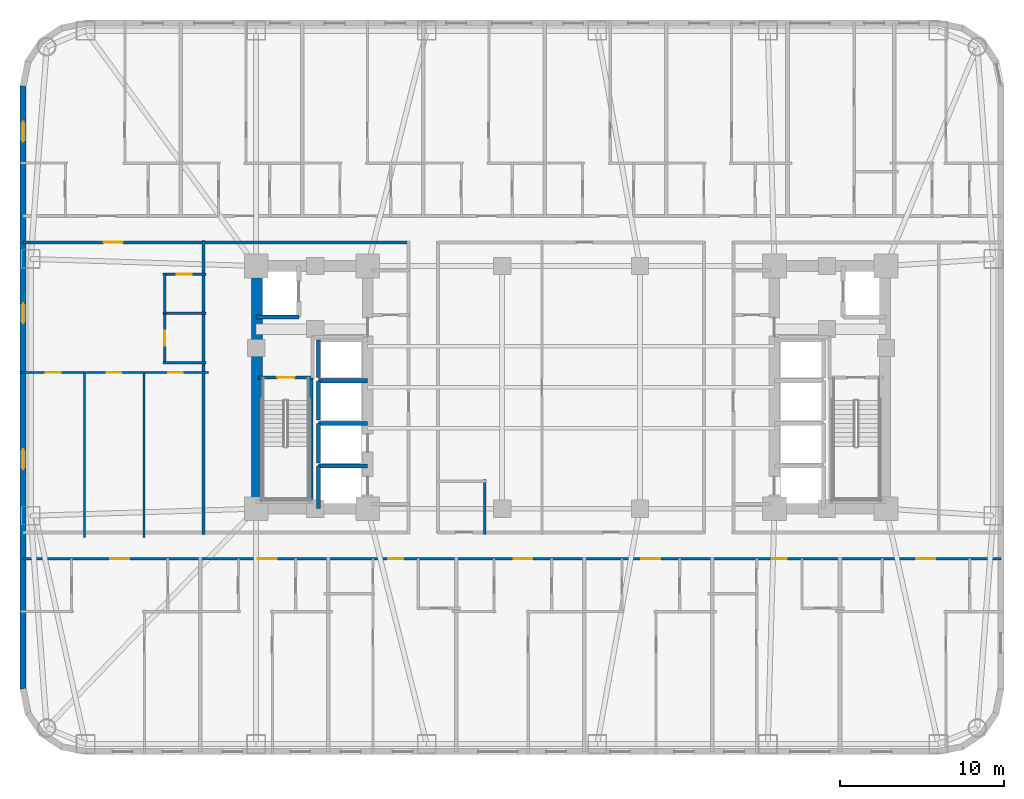
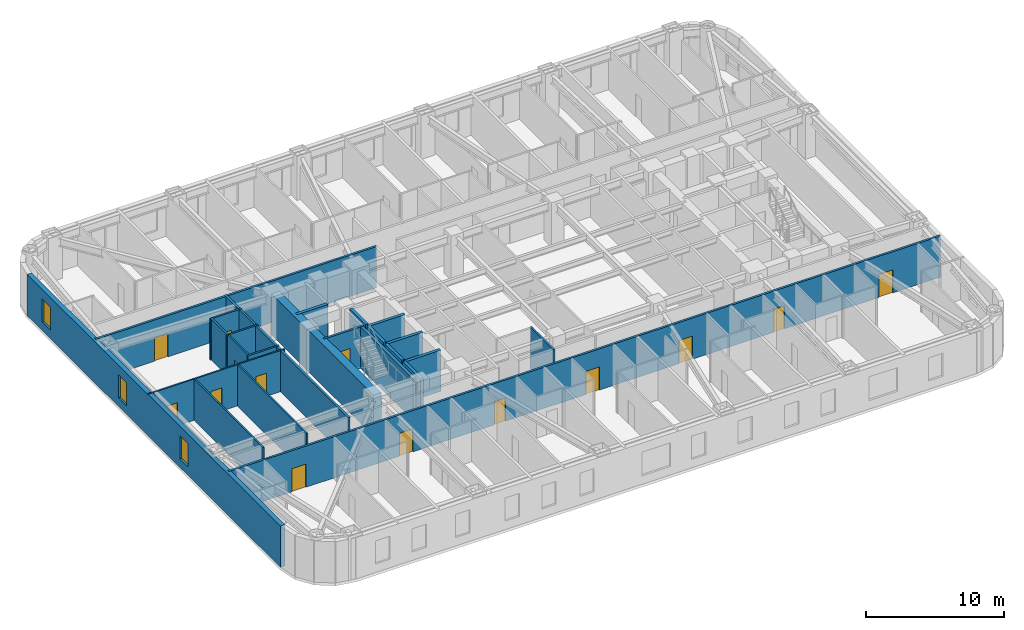
# One storey, part 4 of 11: 26 walls, 14 doors, 3 windows, 17 openings.
"""IFC4 building model written with IfcOpenShell, lengths in metres."""

from ifc_helpers import new_model, si_unit, direction, frame, frame_2d, origin, place, context, subcontext, project, spatial, rectangle, extrude, material, layer, layer_set, type_object, element, fill, save


model = new_model("IFC4")

# Units and contexts
model_context = context("Model", 3, precision=1e-05, world=origin(), true_north=direction((0.0, 1.0)))
body_context = subcontext(model_context, "Body", "Model", "MODEL_VIEW")
ifc_project = project(units=[si_unit("LENGTHUNIT", "METRE"), si_unit("AREAUNIT", "SQUARE_METRE"), si_unit("VOLUMEUNIT", "CUBIC_METRE"), si_unit("PLANEANGLEUNIT", "RADIAN"), si_unit("MASSUNIT", "GRAM", prefix="KILO")], contexts=[model_context])

# Site, building, storey
site_placement = place(None, origin())
site = spatial("IfcSite", under=ifc_project, at=site_placement, CompositionType="ELEMENT")
building_placement = place(site_placement, origin())
building = spatial("IfcBuilding", under=site, at=building_placement, Name="Voryun Gate Residences", CompositionType="ELEMENT")
storey_placement = place(building_placement, frame((0.0, 0.0, 57.199951171875)))
storey = spatial("IfcBuildingStorey", under=building, at=storey_placement, Name="L13", CompositionType="ELEMENT", Elevation=57.199951171875)

# Wall
ifc_material_1 = material(Name="Concrete C60/75", Category="concrete")
ifc_layer_1 = layer(ifc_material_1, 0.64990234375, Name="CW_CORE_650")
ifc_layer_set_1 = layer_set([ifc_layer_1], Name="Concrete C60/75")
wall_type_1 = type_object("IfcWallType", Name="CW_CORE_650", PredefinedType="SHEAR", material=ifc_layer_set_1)
wall_1_placement = place(storey_placement, frame((-19.14501953125, -7.39990234375, 0.0), z_axis=(0.0, 0.0, 1.0), x_axis=(0.0, 1.0, 0.0)))
element("IfcWall", 1, at=wall_1_placement, inside=storey, type_object=wall_type_1, Name="L13 Core shear wall CW-L13-WW", PredefinedType="SHEAR", context=body_context, shape_type="SweptSolid", body=[
    extrude(rectangle(XDim=14.7998046875, YDim=0.64990234375, at=frame_2d((7.39990234375, 0.0))), origin(), (0.0, 0.0, 1.0), 3.650146484375),
])

# Wall, opening, door
ifc_material_2 = material(Name="Gypsum acoustic fireboard")
ifc_layer_2 = layer(ifc_material_2, 0.179931640625, Name="W_CORR_RATED_180")
ifc_layer_set_2 = layer_set([ifc_layer_2], Name="Gypsum acoustic fireboard")
wall_type_2 = type_object("IfcWallType", Name="W_CORR_RATED_180", PredefinedType="PARTITIONING", material=ifc_layer_set_2)
wall_2_placement = place(storey_placement, frame((-19.06005859375, 0.60009765625, 0.0), z_axis=(0.0, 0.0, 1.0), x_axis=(1.0, 0.0, 0.0)))
wall_2 = element("IfcWall", 2, at=wall_2_placement, inside=storey, type_object=wall_type_2, Name="Partition wall WP-L13-STV-W", PredefinedType="PARTITIONING", context=body_context, shape_type="SweptSolid", body=[
    extrude(rectangle(XDim=3.360107421875, YDim=0.179931640625, at=frame_2d((1.68017578125, 0.0))), origin(), (0.0, 0.0, 1.0), 3.650146484375),
])
opening_1_placement = place(wall_2_placement, frame((1.155029296875, 0.0, 0.0)))
opening_1 = element("IfcOpeningElement", 3, at=opening_1_placement, cuts=wall_2, Name="Opening D-FD60-1", PredefinedType="OPENING", context=body_context, shape_type="SweptSolid", body=[
    extrude(rectangle(XDim=1.050048828125, YDim=2.050048828125, at=frame_2d((0.52490234375, 1.02490234375))), frame((0.0, 0.099853515625, 0.0), z_axis=(0.0, -1.0, 0.0), x_axis=(1.0, 0.0, 0.0)), (0.0, 0.0, 1.0), 0.199951171875),
])
ifc_material_3 = material(Name="Painted steel fire door", Category="steel")
door_type_1 = type_object("IfcDoorType", Name="DR_FD60_STAIR_1050", OperationType="NOTDEFINED", PredefinedType="DOOR", material=ifc_material_3)
door_1_placement = place(opening_1_placement, origin())
door_1 = element("IfcDoor", 4, at=door_1_placement, inside=storey, type_object=door_type_1, Name="Door DR-L13-ST-W", OperationType="SINGLE_SWING_LEFT", OverallHeight=2.050048828125, OverallWidth=1.050048828125, PredefinedType="DOOR", context=body_context, shape_type="SweptSolid", body=[
    extrude(rectangle(XDim=1.050048828125, YDim=2.050048828125, at=frame_2d((0.52490234375, 1.02490234375))), frame((0.0, 0.02490234375, 0.0), z_axis=(0.0, -1.0, 0.0), x_axis=(1.0, 0.0, 0.0)), (0.0, 0.0, 1.0), 0.050048828125),
])
fill(opening_1, door_1)

wall_3_placement = place(storey_placement, frame((-33.409912109375, 8.840087890625, 0.0), z_axis=(0.0, 0.0, 1.0), x_axis=(1.0, 0.0, 0.0)))
wall_3 = element("IfcWall", 5, at=wall_3_placement, inside=storey, type_object=wall_type_2, Name="Partition wall WP-L13-CWING-WN", PredefinedType="PARTITIONING", context=body_context, shape_type="SweptSolid", body=[
    extrude(rectangle(XDim=23.530029296875, YDim=0.179931640625, at=frame_2d((11.76513671875, 0.0))), origin(), (0.0, 0.0, 1.0), 3.650146484375),
])
opening_2_placement = place(wall_3_placement, frame((4.91455078125, 0.0, 0.0)))
opening_2 = element("IfcOpeningElement", 6, at=opening_2_placement, cuts=wall_3, Name="Opening D-UNIT-1", PredefinedType="OPENING", context=body_context, shape_type="SweptSolid", body=[
    extrude(rectangle(XDim=1.14990234375, YDim=2.050048828125, at=frame_2d((0.574951171875, 1.02490234375))), frame((0.0, 0.099853515625, 0.0), z_axis=(0.0, -1.0, 0.0), x_axis=(1.0, 0.0, 0.0)), (0.0, 0.0, 1.0), 0.199951171875),
])
ifc_material_4 = material(Name="Armoured timber-clad fire door", Category="wood")
door_type_2 = type_object("IfcDoorType", Name="DR_UNIT_ENTRY_1150", OperationType="NOTDEFINED", PredefinedType="DOOR", material=ifc_material_4)
door_2_placement = place(opening_2_placement, origin())
door_2 = element("IfcDoor", 7, at=door_2_placement, inside=storey, type_object=door_type_2, Name="Door DR-L13-WE1N", OperationType="SINGLE_SWING_LEFT", OverallHeight=2.050048828125, OverallWidth=1.14990234375, PredefinedType="DOOR", context=body_context, shape_type="SweptSolid", body=[
    extrude(rectangle(XDim=1.14990234375, YDim=2.050048828125, at=frame_2d((0.574951171875, 1.02490234375))), frame((0.0, 0.02490234375, 0.0), z_axis=(0.0, -1.0, 0.0), x_axis=(1.0, 0.0, 0.0)), (0.0, 0.0, 1.0), 0.050048828125),
])
fill(opening_2, door_2)

# Wall, openings, doors
wall_4_placement = place(storey_placement, frame((-33.409912109375, -10.449951171875, 0.0), z_axis=(0.0, 0.0, 1.0), x_axis=(1.0, 0.0, 0.0)))
wall_4 = element("IfcWall", 8, at=wall_4_placement, inside=storey, type_object=wall_type_2, Name="Partition wall WP-L13-SCORR", PredefinedType="PARTITIONING", context=body_context, shape_type="SweptSolid", body=[
    extrude(rectangle(XDim=59.619873046875, YDim=0.179931640625, at=frame_2d((29.81005859375, 0.0))), origin(), (0.0, 0.0, 1.0), 3.650146484375),
])
opening_3_placement = place(wall_4_placement, frame((5.3212890625, 0.0, 0.0)))
opening_3 = element("IfcOpeningElement", 9, at=opening_3_placement, cuts=wall_4, Name="Opening D-UNIT-1", PredefinedType="OPENING", context=body_context, shape_type="SweptSolid", body=[
    extrude(rectangle(XDim=1.14990234375, YDim=2.050048828125, at=frame_2d((0.574951171875, 1.02490234375))), frame((0.0, 0.099853515625, 0.0), z_axis=(0.0, -1.0, 0.0), x_axis=(1.0, 0.0, 0.0)), (0.0, 0.0, 1.0), 0.199951171875),
])
opening_4_placement = place(wall_4_placement, frame((14.30029296875, 0.0, 0.0)))
opening_4 = element("IfcOpeningElement", 10, at=opening_4_placement, cuts=wall_4, Name="Opening D-UNIT-1", PredefinedType="OPENING", context=body_context, shape_type="SweptSolid", body=[
    extrude(rectangle(XDim=1.14990234375, YDim=2.050048828125, at=frame_2d((0.574951171875, 1.02490234375))), frame((0.0, 0.099853515625, 0.0), z_axis=(0.0, -1.0, 0.0), x_axis=(1.0, 0.0, 0.0)), (0.0, 0.0, 1.0), 0.199951171875),
])
opening_5_placement = place(wall_4_placement, frame((22.26513671875, 0.0, 0.0)))
opening_5 = element("IfcOpeningElement", 11, at=opening_5_placement, cuts=wall_4, Name="Opening D-INT-2", PredefinedType="OPENING", context=body_context, shape_type="SweptSolid", body=[
    extrude(rectangle(XDim=0.89990234375, YDim=2.050048828125, at=frame_2d((0.449951171875, 1.02490234375))), frame((0.0, 0.099853515625, 0.0), z_axis=(0.0, -1.0, 0.0), x_axis=(1.0, 0.0, 0.0)), (0.0, 0.0, 1.0), 0.199951171875),
])
opening_6_placement = place(wall_4_placement, frame((29.902587890625, 0.0, 0.0)))
opening_6 = element("IfcOpeningElement", 12, at=opening_6_placement, cuts=wall_4, Name="Opening D-UNIT-1", PredefinedType="OPENING", context=body_context, shape_type="SweptSolid", body=[
    extrude(rectangle(XDim=1.14990234375, YDim=2.050048828125, at=frame_2d((0.574951171875, 1.02490234375))), frame((0.0, 0.099853515625, 0.0), z_axis=(0.0, -1.0, 0.0), x_axis=(1.0, 0.0, 0.0)), (0.0, 0.0, 1.0), 0.199951171875),
])
opening_7_placement = place(wall_4_placement, frame((37.700927734375, 0.0, 0.0)))
opening_7 = element("IfcOpeningElement", 13, at=opening_7_placement, cuts=wall_4, Name="Opening D-UNIT-1", PredefinedType="OPENING", context=body_context, shape_type="SweptSolid", body=[
    extrude(rectangle(XDim=1.14990234375, YDim=2.050048828125, at=frame_2d((0.574951171875, 1.02490234375))), frame((0.0, 0.099853515625, 0.0), z_axis=(0.0, -1.0, 0.0), x_axis=(1.0, 0.0, 0.0)), (0.0, 0.0, 1.0), 0.199951171875),
])
opening_8_placement = place(wall_4_placement, frame((45.654052734375, 0.0, 0.0)))
opening_8 = element("IfcOpeningElement", 14, at=opening_8_placement, cuts=wall_4, Name="Opening D-INT-2", PredefinedType="OPENING", context=body_context, shape_type="SweptSolid", body=[
    extrude(rectangle(XDim=0.89990234375, YDim=2.050048828125, at=frame_2d((0.449951171875, 1.02490234375))), frame((0.0, 0.099853515625, 0.0), z_axis=(0.0, -1.0, 0.0), x_axis=(1.0, 0.0, 0.0)), (0.0, 0.0, 1.0), 0.199951171875),
])
opening_9_placement = place(wall_4_placement, frame((54.47216796875, 0.0, 0.0)))
opening_9 = element("IfcOpeningElement", 15, at=opening_9_placement, cuts=wall_4, Name="Opening D-UNIT-1", PredefinedType="OPENING", context=body_context, shape_type="SweptSolid", body=[
    extrude(rectangle(XDim=1.14990234375, YDim=2.050048828125, at=frame_2d((0.574951171875, 1.02490234375))), frame((0.0, 0.099853515625, 0.0), z_axis=(0.0, -1.0, 0.0), x_axis=(1.0, 0.0, 0.0)), (0.0, 0.0, 1.0), 0.199951171875),
])
ifc_material_5 = material(Name="Architectural oak veneer")
door_type_3 = type_object("IfcDoorType", Name="DR_INT_BATH_900", OperationType="NOTDEFINED", PredefinedType="DOOR", material=ifc_material_5)
door_3_placement = place(opening_5_placement, origin())
door_3 = element("IfcDoor", 16, at=door_3_placement, inside=storey, type_object=door_type_3, Name="Door DR-L13-SENT-3", OperationType="SINGLE_SWING_RIGHT", OverallHeight=2.050048828125, OverallWidth=0.89990234375, PredefinedType="DOOR", context=body_context, shape_type="SweptSolid", body=[
    extrude(rectangle(XDim=0.89990234375, YDim=2.050048828125, at=frame_2d((0.449951171875, 1.02490234375))), frame((0.0, 0.02490234375, 0.0), z_axis=(0.0, -1.0, 0.0), x_axis=(1.0, 0.0, 0.0)), (0.0, 0.0, 1.0), 0.050048828125),
])
fill(opening_5, door_3)
door_4_placement = place(opening_8_placement, origin())
door_4 = element("IfcDoor", 17, at=door_4_placement, inside=storey, type_object=door_type_3, Name="Door DR-L13-SENT-6", OperationType="SINGLE_SWING_LEFT", OverallHeight=2.050048828125, OverallWidth=0.89990234375, PredefinedType="DOOR", context=body_context, shape_type="SweptSolid", body=[
    extrude(rectangle(XDim=0.89990234375, YDim=2.050048828125, at=frame_2d((0.449951171875, 1.02490234375))), frame((0.0, 0.02490234375, 0.0), z_axis=(0.0, -1.0, 0.0), x_axis=(1.0, 0.0, 0.0)), (0.0, 0.0, 1.0), 0.050048828125),
])
fill(opening_8, door_4)
door_5_placement = place(opening_3_placement, origin())
door_5 = element("IfcDoor", 18, at=door_5_placement, inside=storey, type_object=door_type_2, Name="Door DR-L13-SENT-1", OperationType="SINGLE_SWING_RIGHT", OverallHeight=2.050048828125, OverallWidth=1.14990234375, PredefinedType="DOOR", context=body_context, shape_type="SweptSolid", body=[
    extrude(rectangle(XDim=1.14990234375, YDim=2.050048828125, at=frame_2d((0.574951171875, 1.02490234375))), frame((0.0, 0.02490234375, 0.0), z_axis=(0.0, -1.0, 0.0), x_axis=(1.0, 0.0, 0.0)), (0.0, 0.0, 1.0), 0.050048828125),
])
fill(opening_3, door_5)
door_6_placement = place(opening_4_placement, origin())
door_6 = element("IfcDoor", 19, at=door_6_placement, inside=storey, type_object=door_type_2, Name="Door DR-L13-SENT-2", OperationType="SINGLE_SWING_LEFT", OverallHeight=2.050048828125, OverallWidth=1.14990234375, PredefinedType="DOOR", context=body_context, shape_type="SweptSolid", body=[
    extrude(rectangle(XDim=1.14990234375, YDim=2.050048828125, at=frame_2d((0.574951171875, 1.02490234375))), frame((0.0, 0.02490234375, 0.0), z_axis=(0.0, -1.0, 0.0), x_axis=(1.0, 0.0, 0.0)), (0.0, 0.0, 1.0), 0.050048828125),
])
fill(opening_4, door_6)
door_7_placement = place(opening_6_placement, origin())
door_7 = element("IfcDoor", 20, at=door_7_placement, inside=storey, type_object=door_type_2, Name="Door DR-L13-SENT-4", OperationType="SINGLE_SWING_LEFT", OverallHeight=2.050048828125, OverallWidth=1.14990234375, PredefinedType="DOOR", context=body_context, shape_type="SweptSolid", body=[
    extrude(rectangle(XDim=1.14990234375, YDim=2.050048828125, at=frame_2d((0.574951171875, 1.02490234375))), frame((0.0, 0.02490234375, 0.0), z_axis=(0.0, -1.0, 0.0), x_axis=(1.0, 0.0, 0.0)), (0.0, 0.0, 1.0), 0.050048828125),
])
fill(opening_6, door_7)
door_8_placement = place(opening_7_placement, origin())
door_8 = element("IfcDoor", 21, at=door_8_placement, inside=storey, type_object=door_type_2, Name="Door DR-L13-SENT-5", OperationType="SINGLE_SWING_RIGHT", OverallHeight=2.050048828125, OverallWidth=1.14990234375, PredefinedType="DOOR", context=body_context, shape_type="SweptSolid", body=[
    extrude(rectangle(XDim=1.14990234375, YDim=2.050048828125, at=frame_2d((0.574951171875, 1.02490234375))), frame((0.0, 0.02490234375, 0.0), z_axis=(0.0, -1.0, 0.0), x_axis=(1.0, 0.0, 0.0)), (0.0, 0.0, 1.0), 0.050048828125),
])
fill(opening_7, door_8)
door_9_placement = place(opening_9_placement, origin())
door_9 = element("IfcDoor", 22, at=door_9_placement, inside=storey, type_object=door_type_2, Name="Door DR-L13-SENT-7", OperationType="SINGLE_SWING_RIGHT", OverallHeight=2.050048828125, OverallWidth=1.14990234375, PredefinedType="DOOR", context=body_context, shape_type="SweptSolid", body=[
    extrude(rectangle(XDim=1.14990234375, YDim=2.050048828125, at=frame_2d((0.574951171875, 1.02490234375))), frame((0.0, 0.02490234375, 0.0), z_axis=(0.0, -1.0, 0.0), x_axis=(1.0, 0.0, 0.0)), (0.0, 0.0, 1.0), 0.050048828125),
])
fill(opening_9, door_9)

# Wall
wall_5_placement = place(storey_placement, frame((-22.419921875, -8.9599609375, 0.0), z_axis=(0.0, 0.0, 1.0), x_axis=(0.0, 1.0, 0.0)))
element("IfcWall", 23, at=wall_5_placement, inside=storey, type_object=wall_type_2, Name="Partition wall WP-L13-WCOR", PredefinedType="PARTITIONING", context=body_context, shape_type="SweptSolid", body=[
    extrude(rectangle(XDim=17.919921875, YDim=0.179931640625, at=frame_2d((8.9599609375, 0.0))), origin(), (0.0, 0.0, 1.0), 3.650146484375),
])

# Wall, openings, windows
ifc_material_6 = material(Name="Granite masonry", Category="masonry")
ifc_layer_3 = layer(ifc_material_6, 0.3798828125, Name="W_EXT_GRANITE_380")
ifc_layer_set_3 = layer_set([ifc_layer_3], Name="Granite masonry")
wall_type_3 = type_object("IfcWallType", Name="W_EXT_GRANITE_380", PredefinedType="ELEMENTEDWALL", material=ifc_layer_set_3)
wall_6_placement = place(storey_placement, frame((-33.409912109375, -18.38134765625, 0.0), z_axis=(0.0, 0.0, 1.0), x_axis=(0.0, 1.0, 0.0)))
wall_6 = element("IfcWall", 24, at=wall_6_placement, inside=storey, type_object=wall_type_3, Name="Exterior wall WEXT-L13-06", PredefinedType="ELEMENTEDWALL", context=body_context, shape_type="SweptSolid", body=[
    extrude(rectangle(XDim=36.7626953125, YDim=0.3798828125, at=frame_2d((18.38134765625, 0.0))), origin(), (0.0, 0.0, 1.0), 3.650146484375),
])
opening_10_placement = place(wall_6_placement, frame((33.362060546875, 0.0, 0.75)))
opening_10 = element("IfcOpeningElement", 25, at=opening_10_placement, cuts=wall_6, Name="Opening WN6", PredefinedType="OPENING", context=body_context, shape_type="SweptSolid", body=[
    extrude(rectangle(XDim=1.199951171875, YDim=2.050048828125, at=frame_2d((0.60009765625, 1.02490234375))), frame((0.0, 0.199951171875, 0.0), z_axis=(0.0, -1.0, 0.0), x_axis=(1.0, 0.0, 0.0)), (0.0, 0.0, 1.0), 0.39990234375),
])
opening_11_placement = place(wall_6_placement, frame((22.30126953125, 0.0, 0.75)))
opening_11 = element("IfcOpeningElement", 26, at=opening_11_placement, cuts=wall_6, Name="Opening WN6", PredefinedType="OPENING", context=body_context, shape_type="SweptSolid", body=[
    extrude(rectangle(XDim=1.199951171875, YDim=2.050048828125, at=frame_2d((0.60009765625, 1.02490234375))), frame((0.0, 0.199951171875, 0.0), z_axis=(0.0, -1.0, 0.0), x_axis=(1.0, 0.0, 0.0)), (0.0, 0.0, 1.0), 0.39990234375),
])
opening_12_placement = place(wall_6_placement, frame((13.4013671875, 0.0, 0.75)))
opening_12 = element("IfcOpeningElement", 27, at=opening_12_placement, cuts=wall_6, Name="Opening WN6", PredefinedType="OPENING", context=body_context, shape_type="SweptSolid", body=[
    extrude(rectangle(XDim=1.199951171875, YDim=2.050048828125, at=frame_2d((0.60009765625, 1.02490234375))), frame((0.0, 0.199951171875, 0.0), z_axis=(0.0, -1.0, 0.0), x_axis=(1.0, 0.0, 0.0)), (0.0, 0.0, 1.0), 0.39990234375),
])
ifc_material_7 = material(Name="Laminated low-E glass", Category="glass")
window_type = type_object("IfcWindowType", Name="WN_POD_SLOT_1200", PartitioningType="SINGLE_PANEL", PredefinedType="WINDOW", material=ifc_material_7)
window_1_placement = place(opening_10_placement, origin())
window_1 = element("IfcWindow", 28, at=window_1_placement, inside=storey, type_object=window_type, Name="Window WN-L13-DWFIX-01", OverallHeight=2.050048828125, OverallWidth=1.199951171875, PartitioningType="SINGLE_PANEL", PredefinedType="WINDOW", context=body_context, shape_type="SweptSolid", body=[
    extrude(rectangle(XDim=1.199951171875, YDim=2.050048828125, at=frame_2d((0.60009765625, 1.02490234375))), frame((0.0, 0.030029296875, 0.0), z_axis=(0.0, -1.0, 0.0), x_axis=(1.0, 0.0, 0.0)), (0.0, 0.0, 1.0), 0.06005859375),
])
fill(opening_10, window_1)
window_2_placement = place(opening_11_placement, origin())
window_2 = element("IfcWindow", 29, at=window_2_placement, inside=storey, type_object=window_type, Name="Window WN-L13-DWFIX-26", OverallHeight=2.050048828125, OverallWidth=1.199951171875, PartitioningType="SINGLE_PANEL", PredefinedType="WINDOW", context=body_context, shape_type="SweptSolid", body=[
    extrude(rectangle(XDim=1.199951171875, YDim=2.050048828125, at=frame_2d((0.60009765625, 1.02490234375))), frame((0.0, 0.030029296875, 0.0), z_axis=(0.0, -1.0, 0.0), x_axis=(1.0, 0.0, 0.0)), (0.0, 0.0, 1.0), 0.06005859375),
])
fill(opening_11, window_2)
window_3_placement = place(opening_12_placement, origin())
window_3 = element("IfcWindow", 30, at=window_3_placement, inside=storey, type_object=window_type, Name="Window WN-L13-DWFIX-27", OverallHeight=2.050048828125, OverallWidth=1.199951171875, PartitioningType="SINGLE_PANEL", PredefinedType="WINDOW", context=body_context, shape_type="SweptSolid", body=[
    extrude(rectangle(XDim=1.199951171875, YDim=2.050048828125, at=frame_2d((0.60009765625, 1.02490234375))), frame((0.0, 0.030029296875, 0.0), z_axis=(0.0, -1.0, 0.0), x_axis=(1.0, 0.0, 0.0)), (0.0, 0.0, 1.0), 0.06005859375),
])
fill(opening_12, window_3)

# Walls
ifc_material_8 = material(Name="Concrete C50/60", Category="concrete")
ifc_layer_4 = layer(ifc_material_8, 0.25, Name="W_SHAFT_RC250")
ifc_layer_set_4 = layer_set([ifc_layer_4], Name="Concrete C50/60")
wall_type_4 = type_object("IfcWallType", Name="W_SHAFT_RC250", PredefinedType="SOLIDWALL", material=ifc_layer_set_4)
wall_7_placement = place(storey_placement, frame((-15.860107421875, -7.0849609375, 0.0), z_axis=(0.0, 0.0, 1.0), x_axis=(0.0, 1.0, 0.0)))
element("IfcWall", 31, at=wall_7_placement, inside=storey, type_object=wall_type_4, Name="L13 Stair shaft structural wall W-STR", PredefinedType="SOLIDWALL", context=body_context, shape_type="SweptSolid", body=[
    extrude(rectangle(XDim=7.68505859375, YDim=0.25, at=frame_2d((3.842529296875, 0.0))), origin(), (0.0, 0.0, 1.0), 3.650146484375),
])
wall_8_placement = place(storey_placement, frame((-19.199951171875, 4.300048828125, 0.0), z_axis=(0.0, 0.0, 1.0), x_axis=(1.0, 0.0, 0.0)))
element("IfcWall", 32, at=wall_8_placement, inside=storey, type_object=wall_type_4, Name="Lift shaft wall WSH-L13-EL-FF-W1-S", PredefinedType="SOLIDWALL", context=body_context, shape_type="SweptSolid", body=[
    extrude(rectangle(XDim=2.599853515625, YDim=0.25, at=frame_2d((1.2998046875, 0.0))), origin(), (0.0, 0.0, 1.0), 3.650146484375),
])
wall_9_placement = place(storey_placement, frame((-12.39990234375, -4.800048828125, 0.0), z_axis=(0.0, 0.0, 1.0), x_axis=(-1.0, 0.0, 0.0)))
element("IfcWall", 33, at=wall_9_placement, inside=storey, type_object=wall_type_4, Name="Lift shaft wall WSH-L13-EL-P1-N", PredefinedType="SOLIDWALL", context=body_context, shape_type="SweptSolid", body=[
    extrude(rectangle(XDim=3.0, YDim=0.25, at=frame_2d((1.5, 0.0))), origin(), (0.0, 0.0, 1.0), 3.650146484375),
])
wall_10_placement = place(storey_placement, frame((-15.39990234375, -4.800048828125, 0.0), z_axis=(0.0, 0.0, 1.0), x_axis=(0.0, -1.0, 0.0)))
element("IfcWall", 34, at=wall_10_placement, inside=storey, type_object=wall_type_4, Name="Lift shaft wall WSH-L13-EL-P1-W", PredefinedType="SOLIDWALL", context=body_context, shape_type="SweptSolid", body=[
    extrude(rectangle(XDim=2.599853515625, YDim=0.25, at=frame_2d((1.2998046875, 0.0))), origin(), (0.0, 0.0, 1.0), 3.650146484375),
])
wall_11_placement = place(storey_placement, frame((-12.39990234375, -2.199951171875, 0.0), z_axis=(0.0, 0.0, 1.0), x_axis=(-1.0, 0.0, 0.0)))
element("IfcWall", 35, at=wall_11_placement, inside=storey, type_object=wall_type_4, Name="Lift shaft wall WSH-L13-EL-P2-N", PredefinedType="SOLIDWALL", context=body_context, shape_type="SweptSolid", body=[
    extrude(rectangle(XDim=3.0, YDim=0.25, at=frame_2d((1.5, 0.0))), origin(), (0.0, 0.0, 1.0), 3.650146484375),
])
wall_12_placement = place(storey_placement, frame((-15.39990234375, -2.199951171875, 0.0), z_axis=(0.0, 0.0, 1.0), x_axis=(0.0, -1.0, 0.0)))
element("IfcWall", 36, at=wall_12_placement, inside=storey, type_object=wall_type_4, Name="Lift shaft wall WSH-L13-EL-P2-W", PredefinedType="SOLIDWALL", context=body_context, shape_type="SweptSolid", body=[
    extrude(rectangle(XDim=2.400146484375, YDim=0.25, at=frame_2d((1.2001953125, 0.0))), origin(), (0.0, 0.0, 1.0), 3.650146484375),
])
wall_13_placement = place(storey_placement, frame((-12.39990234375, 0.39990234375, 0.0), z_axis=(0.0, 0.0, 1.0), x_axis=(-1.0, 0.0, 0.0)))
element("IfcWall", 37, at=wall_13_placement, inside=storey, type_object=wall_type_4, Name="Lift shaft wall WSH-L13-EL-P4-N", PredefinedType="SOLIDWALL", context=body_context, shape_type="SweptSolid", body=[
    extrude(rectangle(XDim=3.0, YDim=0.25, at=frame_2d((1.5, 0.0))), origin(), (0.0, 0.0, 1.0), 3.650146484375),
])
wall_14_placement = place(storey_placement, frame((-15.39990234375, 0.39990234375, 0.0), z_axis=(0.0, 0.0, 1.0), x_axis=(0.0, -1.0, 0.0)))
element("IfcWall", 38, at=wall_14_placement, inside=storey, type_object=wall_type_4, Name="Lift shaft wall WSH-L13-EL-P4-W", PredefinedType="SOLIDWALL", context=body_context, shape_type="SweptSolid", body=[
    extrude(rectangle(XDim=2.39990234375, YDim=0.25, at=frame_2d((1.199951171875, 0.0))), origin(), (0.0, 0.0, 1.0), 3.650146484375),
])
wall_15_placement = place(storey_placement, frame((-15.39990234375, 2.89990234375, 0.0), z_axis=(0.0, 0.0, 1.0), x_axis=(0.0, -1.0, 0.0)))
element("IfcWall", 39, at=wall_15_placement, inside=storey, type_object=wall_type_4, Name="Lift shaft wall WSH-L13-EL-P7-W", PredefinedType="SOLIDWALL", context=body_context, shape_type="SweptSolid", body=[
    extrude(rectangle(XDim=2.2998046875, YDim=0.25, at=frame_2d((1.14990234375, 0.0))), origin(), (0.0, 0.0, 1.0), 3.650146484375),
])

# Wall, opening, door
ifc_material_9 = material(Name="Gypsum acoustic partition")
ifc_layer_5 = layer(ifc_material_9, 0.125, Name="W_UNIT_PART_125")
ifc_layer_set_5 = layer_set([ifc_layer_5], Name="Gypsum acoustic partition")
wall_type_5 = type_object("IfcWallType", Name="W_UNIT_PART_125", PredefinedType="PARTITIONING", material=ifc_layer_set_5)
wall_16_placement = place(storey_placement, frame((-33.56005859375, 0.909912109375, 0.0), z_axis=(0.0, 0.0, 1.0), x_axis=(1.0, 0.0, 0.0)))
wall_16 = element("IfcWall", 40, at=wall_16_placement, inside=storey, type_object=wall_type_5, Name="Partition wall WP-L13-W1-HZMB1", PredefinedType="PARTITIONING", context=body_context, shape_type="SweptSolid", body=[
    extrude(rectangle(XDim=3.944580078125, YDim=0.125, at=frame_2d((1.97216796875, 0.0))), origin(), (0.0, 0.0, 1.0), 3.650146484375),
])
opening_13_placement = place(wall_16_placement, frame((1.531005859375, 0.0, 0.0)))
opening_13 = element("IfcOpeningElement", 41, at=opening_13_placement, cuts=wall_16, Name="Opening D-INT-2", PredefinedType="OPENING", context=body_context, shape_type="SweptSolid", body=[
    extrude(rectangle(XDim=0.89990234375, YDim=2.050048828125, at=frame_2d((0.449951171875, 1.02490234375))), frame((0.0, 0.072509765625, 0.0), z_axis=(0.0, -1.0, 0.0), x_axis=(1.0, 0.0, 0.0)), (0.0, 0.0, 1.0), 0.14501953125),
])
door_10_placement = place(opening_13_placement, origin())
door_10 = element("IfcDoor", 42, at=door_10_placement, inside=storey, type_object=door_type_3, Name="Door DR-L13-W1-DMB", OperationType="SINGLE_SWING_LEFT", OverallHeight=2.050048828125, OverallWidth=0.89990234375, PredefinedType="DOOR", context=body_context, shape_type="SweptSolid", body=[
    extrude(rectangle(XDim=0.89990234375, YDim=2.050048828125, at=frame_2d((0.449951171875, 1.02490234375))), frame((0.0, 0.02490234375, 0.0), z_axis=(0.0, -1.0, 0.0), x_axis=(1.0, 0.0, 0.0)), (0.0, 0.0, 1.0), 0.050048828125),
])
fill(opening_13, door_10)

wall_17_placement = place(storey_placement, frame((-29.740478515625, 0.909912109375, 0.0), z_axis=(0.0, 0.0, 1.0), x_axis=(1.0, 0.0, 0.0)))
wall_17 = element("IfcWall", 43, at=wall_17_placement, inside=storey, type_object=wall_type_5, Name="Partition wall WP-L13-W1-HZMB2", PredefinedType="PARTITIONING", context=body_context, shape_type="SweptSolid", body=[
    extrude(rectangle(XDim=3.75390625, YDim=0.125, at=frame_2d((1.876953125, 0.0))), origin(), (0.0, 0.0, 1.0), 3.650146484375),
])
opening_14_placement = place(wall_17_placement, frame((1.427001953125, 0.0, 0.0)))
opening_14 = element("IfcOpeningElement", 44, at=opening_14_placement, cuts=wall_17, Name="Opening D-INT-2", PredefinedType="OPENING", context=body_context, shape_type="SweptSolid", body=[
    extrude(rectangle(XDim=0.89990234375, YDim=2.050048828125, at=frame_2d((0.449951171875, 1.02490234375))), frame((0.0, 0.072509765625, 0.0), z_axis=(0.0, -1.0, 0.0), x_axis=(1.0, 0.0, 0.0)), (0.0, 0.0, 1.0), 0.14501953125),
])
door_11_placement = place(opening_14_placement, origin())
door_11 = element("IfcDoor", 45, at=door_11_placement, inside=storey, type_object=door_type_3, Name="Door DR-L13-W1-DBD2", OperationType="SINGLE_SWING_RIGHT", OverallHeight=2.050048828125, OverallWidth=0.89990234375, PredefinedType="DOOR", context=body_context, shape_type="SweptSolid", body=[
    extrude(rectangle(XDim=0.89990234375, YDim=2.050048828125, at=frame_2d((0.449951171875, 1.02490234375))), frame((0.0, 0.02490234375, 0.0), z_axis=(0.0, -1.0, 0.0), x_axis=(1.0, 0.0, 0.0)), (0.0, 0.0, 1.0), 0.050048828125),
])
fill(opening_14, door_11)

wall_18_placement = place(storey_placement, frame((-26.111572265625, 0.909912109375, 0.0), z_axis=(0.0, 0.0, 1.0), x_axis=(1.0, 0.0, 0.0)))
wall_18 = element("IfcWall", 46, at=wall_18_placement, inside=storey, type_object=wall_type_5, Name="Partition wall WP-L13-W1-HZMB3", PredefinedType="PARTITIONING", context=body_context, shape_type="SweptSolid", body=[
    extrude(rectangle(XDim=4.011474609375, YDim=0.125, at=frame_2d((2.005859375, 0.0))), origin(), (0.0, 0.0, 1.0), 3.650146484375),
])
opening_15_placement = place(wall_18_placement, frame((1.547119140625, 0.0, 0.0)))
opening_15 = element("IfcOpeningElement", 47, at=opening_15_placement, cuts=wall_18, Name="Opening D-INT-2", PredefinedType="OPENING", context=body_context, shape_type="SweptSolid", body=[
    extrude(rectangle(XDim=0.89990234375, YDim=2.050048828125, at=frame_2d((0.449951171875, 1.02490234375))), frame((0.0, 0.072509765625, 0.0), z_axis=(0.0, -1.0, 0.0), x_axis=(1.0, 0.0, 0.0)), (0.0, 0.0, 1.0), 0.14501953125),
])
door_12_placement = place(opening_15_placement, origin())
door_12 = element("IfcDoor", 48, at=door_12_placement, inside=storey, type_object=door_type_3, Name="Door DR-L13-W1-DBD3", OperationType="SINGLE_SWING_LEFT", OverallHeight=2.050048828125, OverallWidth=0.89990234375, PredefinedType="DOOR", context=body_context, shape_type="SweptSolid", body=[
    extrude(rectangle(XDim=0.89990234375, YDim=2.050048828125, at=frame_2d((0.449951171875, 1.02490234375))), frame((0.0, 0.02490234375, 0.0), z_axis=(0.0, -1.0, 0.0), x_axis=(1.0, 0.0, 0.0)), (0.0, 0.0, 1.0), 0.050048828125),
])
fill(opening_15, door_12)

# Walls
for number, where, z_axis, x_axis, name in (
    (49, (-26.049072265625, -9.159912109375, 0.0), (0.0, 0.0, 1.0), (0.0, 1.0, 0.0), "Partition wall WP-L13-W1-VMB2"),
    (50, (-29.677978515625, -9.159912109375, 0.0), (0.0, 0.0, 1.0), (0.0, 1.0, 0.0), "Partition wall WP-L13-W1-VMB"),
):
    element("IfcWall", number, at=place(storey_placement, frame(where, z_axis=z_axis, x_axis=x_axis)), inside=storey, type_object=wall_type_5, Name=name, PredefinedType="PARTITIONING", context=body_context, shape_type="SweptSolid", body=[
        extrude(rectangle(XDim=10.1298828125, YDim=0.125, at=frame_2d((5.06494140625, 0.0))), origin(), (0.0, 0.0, 1.0), 3.650146484375),
    ])
ifc_material_10 = material(Name="Gypsum moisture-resistant partition")
ifc_layer_6 = layer(ifc_material_10, 0.14990234375, Name="W_WET_PLUMB_150")
ifc_layer_set_6 = layer_set([ifc_layer_6], Name="Gypsum moisture-resistant partition")
wall_type_6 = type_object("IfcWallType", Name="W_WET_PLUMB_150", PredefinedType="PLUMBINGWALL", material=ifc_layer_set_6)
wall_19_placement = place(storey_placement, frame((-5.260009765625, -8.969970703125, 0.0), z_axis=(0.0, 0.0, 1.0), x_axis=(0.0, 1.0, 0.0)))
element("IfcWall", 51, at=wall_19_placement, inside=storey, type_object=wall_type_6, Name="Partition wall WP-L13-CMWCX", PredefinedType="PLUMBINGWALL", context=body_context, shape_type="SweptSolid", body=[
    extrude(rectangle(XDim=3.349853515625, YDim=0.14990234375, at=frame_2d((1.6748046875, 0.0))), origin(), (0.0, 0.0, 1.0), 3.650146484375),
])

# Wall, opening, door
wall_20_placement = place(storey_placement, frame((-24.889892578125, 6.89990234375, 0.0), z_axis=(0.0, 0.0, 1.0), x_axis=(1.0, 0.0, 0.0)))
wall_20 = element("IfcWall", 52, at=wall_20_placement, inside=storey, type_object=wall_type_6, Name="Partition wall WP-L13-W1-IBT", PredefinedType="PLUMBINGWALL", context=body_context, shape_type="SweptSolid", body=[
    extrude(rectangle(XDim=2.619873046875, YDim=0.14990234375, at=frame_2d((1.31005859375, 0.0))), origin(), (0.0, 0.0, 1.0), 3.650146484375),
])
opening_16_placement = place(wall_20_placement, frame((0.860107421875, 0.0, 0.0)))
opening_16 = element("IfcOpeningElement", 53, at=opening_16_placement, cuts=wall_20, Name="Opening D-INT-2", PredefinedType="OPENING", context=body_context, shape_type="SweptSolid", body=[
    extrude(rectangle(XDim=0.89990234375, YDim=2.050048828125, at=frame_2d((0.449951171875, 1.02490234375))), frame((0.0, 0.0849609375, 0.0), z_axis=(0.0, -1.0, 0.0), x_axis=(1.0, 0.0, 0.0)), (0.0, 0.0, 1.0), 0.169921875),
])
door_13_placement = place(opening_16_placement, origin())
door_13 = element("IfcDoor", 54, at=door_13_placement, inside=storey, type_object=door_type_3, Name="Door DR-L13-W1-DK", OperationType="SINGLE_SWING_LEFT", OverallHeight=2.050048828125, OverallWidth=0.89990234375, PredefinedType="DOOR", context=body_context, shape_type="SweptSolid", body=[
    extrude(rectangle(XDim=0.89990234375, YDim=2.050048828125, at=frame_2d((0.449951171875, 1.02490234375))), frame((0.0, 0.02490234375, 0.0), z_axis=(0.0, -1.0, 0.0), x_axis=(1.0, 0.0, 0.0)), (0.0, 0.0, 1.0), 0.050048828125),
])
fill(opening_16, door_13)

# Walls
for number, where, z_axis, x_axis, name in (
    (55, (-24.889892578125, 4.52001953125, 0.0), (0.0, 0.0, 1.0), (1.0, 0.0, 0.0), "Partition wall WP-L13-W1-IKB"),
    (56, (-24.889892578125, 1.5, 0.0), (0.0, 0.0, 1.0), (1.0, 0.0, 0.0), "Partition wall WP-L13-W1-IBB"),
):
    element("IfcWall", number, at=place(storey_placement, frame(where, z_axis=z_axis, x_axis=x_axis)), inside=storey, type_object=wall_type_6, Name=name, PredefinedType="PLUMBINGWALL", context=body_context, shape_type="SweptSolid", body=[
        extrude(rectangle(XDim=2.619873046875, YDim=0.14990234375, at=frame_2d((1.31005859375, 0.0))), origin(), (0.0, 0.0, 1.0), 3.650146484375),
    ])

# Wall, opening, door
wall_21_placement = place(storey_placement, frame((-24.77001953125, 1.43994140625, 0.0), z_axis=(0.0, 0.0, 1.0), x_axis=(0.0, 1.0, 0.0)))
wall_21 = element("IfcWall", 57, at=wall_21_placement, inside=storey, type_object=wall_type_6, Name="Partition wall WP-L13-W1-VTSK1", PredefinedType="PLUMBINGWALL", context=body_context, shape_type="SweptSolid", body=[
    extrude(rectangle(XDim=3.1201171875, YDim=0.14990234375, at=frame_2d((1.56005859375, 0.0))), origin(), (0.0, 0.0, 1.0), 3.650146484375),
])
opening_17_placement = place(wall_21_placement, frame((1.110107421875, 0.0, 0.0)))
opening_17 = element("IfcOpeningElement", 58, at=opening_17_placement, cuts=wall_21, Name="Opening D-INT-2", PredefinedType="OPENING", context=body_context, shape_type="SweptSolid", body=[
    extrude(rectangle(XDim=0.89990234375, YDim=2.050048828125, at=frame_2d((0.449951171875, 1.02490234375))), frame((0.0, 0.0849609375, 0.0), z_axis=(0.0, -1.0, 0.0), x_axis=(1.0, 0.0, 0.0)), (0.0, 0.0, 1.0), 0.169921875),
])
door_14_placement = place(opening_17_placement, origin())
door_14 = element("IfcDoor", 59, at=door_14_placement, inside=storey, type_object=door_type_3, Name="Door DR-L13-W1-DB", OperationType="SINGLE_SWING_RIGHT", OverallHeight=2.050048828125, OverallWidth=0.89990234375, PredefinedType="DOOR", context=body_context, shape_type="SweptSolid", body=[
    extrude(rectangle(XDim=0.89990234375, YDim=2.050048828125, at=frame_2d((0.449951171875, 1.02490234375))), frame((0.0, 0.02490234375, 0.0), z_axis=(0.0, -1.0, 0.0), x_axis=(1.0, 0.0, 0.0)), (0.0, 0.0, 1.0), 0.050048828125),
])
fill(opening_17, door_14)

# Wall
wall_22_placement = place(storey_placement, frame((-24.77001953125, 4.47998046875, 0.0), z_axis=(0.0, 0.0, 1.0), x_axis=(0.0, 1.0, 0.0)))
element("IfcWall", 60, at=wall_22_placement, inside=storey, type_object=wall_type_6, Name="Partition wall WP-L13-W1-VTSK2", PredefinedType="PLUMBINGWALL", context=body_context, shape_type="SweptSolid", body=[
    extrude(rectangle(XDim=2.47998046875, YDim=0.14990234375, at=frame_2d((1.239990234375, 0.0))), origin(), (0.0, 0.0, 1.0), 3.650146484375),
])

save(model, "model.ifc")
